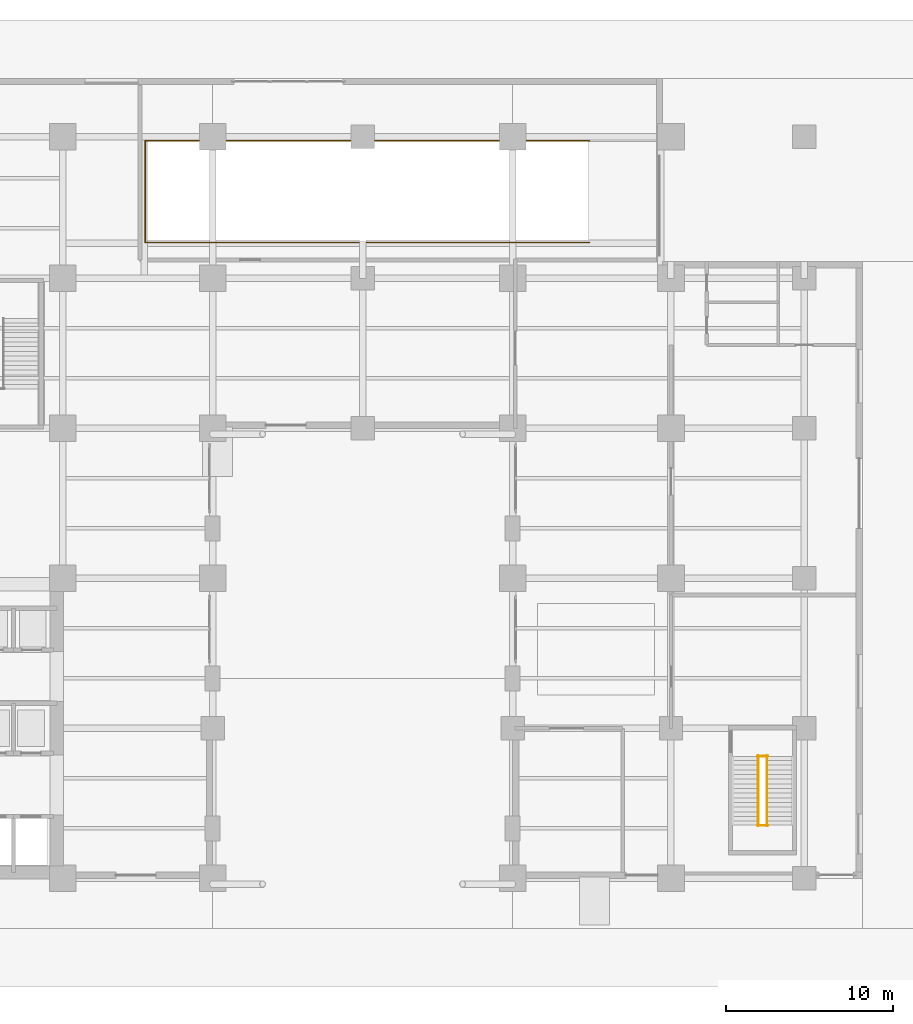
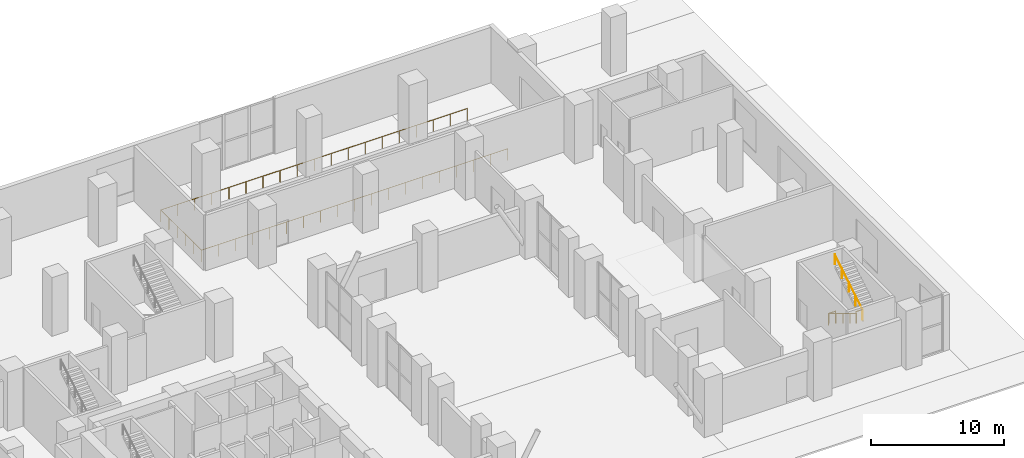
# One storey, part 16 of 17: 5 railings.
"""IFC4 building model written with IfcOpenShell, lengths in metres."""

import ifcopenshell
import ifcopenshell.guid

model = None  # the IFC model being written
_history = None  # IfcOwnerHistory: only IFC2X3 demands one
_inside = {}  # id of a spatial element -> (the spatial element, [elements in it])
_under = {}  # id of a project, library or spatial element -> (it, [spatial elements below it])
_declared = {}  # id of a project -> (the project, [libraries it declares])
_typed = {}  # id of a type object -> (the type object, [elements of that type])
_made_of = {}  # id of a material, layer set ... -> (it, [elements and type objects made of it])


def new_model(schema):
    """Start an empty IFC model of exactly this schema.

    Asked for "IFC4X3", IfcOpenShell would pick the latest addendum, in which some entities
    have other attributes; the version numbers below select the first issue.
    IFC2X3 requires an IfcOwnerHistory on every rooted entity: one is made here for all.
    """
    global model, _history
    if schema == "IFC4X3":
        model = ifcopenshell.file(schema_version=(4, 3, 0, 0))
    else:
        model = ifcopenshell.file(schema=schema)
    _inside.clear()
    _under.clear()
    _declared.clear()
    _typed.clear()
    _made_of.clear()
    _history = None
    if model.schema == "IFC2X3":
        org = make("IfcOrganization", Name="unknown")
        user = make(
            "IfcPersonAndOrganization",
            ThePerson=make("IfcPerson", FamilyName="unknown"),
            TheOrganization=org,
        )
        app = make(
            "IfcApplication",
            ApplicationDeveloper=org,
            Version="unknown",
            ApplicationFullName="unknown",
            ApplicationIdentifier="unknown",
        )
        _history = make(
            "IfcOwnerHistory",
            OwningUser=user,
            OwningApplication=app,
            ChangeAction="ADDED",
            CreationDate=0,
        )
    return model


def make(cls, **values):
    """One entity of the class cls with the attributes given. An attribute that is None is left unset."""
    return model.create_entity(
        cls, **{name: value for name, value in values.items() if value is not None}
    )


def rooted(cls, **values):
    """An entity with a GlobalId (a new one), such as an element, a storey or a relation."""
    return make(cls, GlobalId=ifcopenshell.guid.new(), OwnerHistory=_history, **values)


def si_unit(unit_type, name, prefix=None):
    """IfcSIUnit, for example si_unit("LENGTHUNIT", "METRE", prefix="MILLI")."""
    return make("IfcSIUnit", UnitType=unit_type, Prefix=prefix, Name=name)


def assignment(units):
    """IfcUnitAssignment: the units of a project."""
    return None if units is None else make("IfcUnitAssignment", Units=units)


def point(xyz):
    """IfcCartesianPoint."""
    return None if xyz is None else make("IfcCartesianPoint", Coordinates=xyz)


def direction(xyz):
    """IfcDirection."""
    return None if xyz is None else make("IfcDirection", DirectionRatios=xyz)


def frame(location, z_axis=None, x_axis=None):
    """IfcAxis2Placement3D, a coordinate frame: its origin and axes. An axis left out is left unset."""
    return make(
        "IfcAxis2Placement3D",
        Location=point(location),
        Axis=direction(z_axis),
        RefDirection=direction(x_axis),
    )


def frame_2d(location, x_axis=None):
    """IfcAxis2Placement2D, a coordinate frame in the plane: its origin and x axis."""
    return make(
        "IfcAxis2Placement2D", Location=point(location), RefDirection=direction(x_axis)
    )


def origin():
    """The frame at (0, 0, 0) with its axes left unset."""
    return frame((0.0, 0.0, 0.0))


def origin_2d():
    """The frame at (0, 0) in the plane with its x axis left unset."""
    return frame_2d((0.0, 0.0))


def place(relative_to, where):
    """IfcLocalPlacement: puts the frame where relative to a parent placement (None: the world)."""
    return make(
        "IfcLocalPlacement", PlacementRelTo=relative_to, RelativePlacement=where
    )


def context(
    kind, dimensions, precision=None, world=None, true_north=None, identifier=None
):
    """IfcGeometricRepresentationContext, for example the 3D "Model" context."""
    return make(
        "IfcGeometricRepresentationContext",
        ContextIdentifier=identifier,
        ContextType=kind,
        CoordinateSpaceDimension=dimensions,
        Precision=precision,
        WorldCoordinateSystem=world,
        TrueNorth=true_north,
    )


def subcontext(parent, identifier, kind, view, scale=None):
    """IfcGeometricRepresentationSubContext, for example "Body" below "Model"."""
    return make(
        "IfcGeometricRepresentationSubContext",
        ContextIdentifier=identifier,
        ContextType=kind,
        ParentContext=parent,
        TargetScale=scale,
        TargetView=view,
    )


def project(units=None, contexts=None):
    """IfcProject with its units and contexts."""
    return rooted(
        "IfcProject",
        Name="project",
        RepresentationContexts=contexts,
        UnitsInContext=assignment(units),
    )


def spatial(cls, under=None, at=None, **own):
    """A site, building, storey or space (cls), placed at a placement, below another one or the project."""
    s = rooted(cls, ObjectPlacement=at, **own)
    if under is not None:
        _under.setdefault(under.id(), (under, []))[1].append(s)
    return s


def profile(cls, at=None, kind="AREA", **sizes):
    """A parametric profile (cls). Its sizes go by their IFC names, for example OverallWidth=200.0."""
    return make(cls, ProfileType=kind, Position=at, **sizes)


def circle(**sizes):
    """IfcCircleProfileDef."""
    return profile("IfcCircleProfileDef", **sizes)


def extrude(swept, where, along, depth):
    """IfcExtrudedAreaSolid: the profile swept, set in the frame where, extruded along a direction by depth."""
    return make(
        "IfcExtrudedAreaSolid",
        SweptArea=swept,
        Position=where,
        ExtrudedDirection=direction(along),
        Depth=depth,
    )


def shape(context_of_items, identifier, shape_type, items):
    """IfcShapeRepresentation: the items that make up one representation, for example the "Body"."""
    return make(
        "IfcShapeRepresentation",
        ContextOfItems=context_of_items,
        RepresentationIdentifier=identifier,
        RepresentationType=shape_type,
        Items=items,
    )


def material(Name=None, Category=None):
    """IfcMaterial."""
    return make("IfcMaterial", Name=Name, Category=Category)


def made_of(thing, what):
    """Note that an element or type object is made of a material, layer set ...; save() writes the relation."""
    if what is not None:
        _made_of.setdefault(what.id(), (what, []))[1].append(thing)
    return thing


def type_object(cls, material=None, **own):
    """A type object (cls), such as IfcWallType, which elements share."""
    return made_of(rooted(cls, **own), material)


def element(
    cls,
    number,
    at=None,
    inside=None,
    cuts=None,
    type_object=None,
    material=None,
    context=None,
    identifier="Body",
    shape_type=None,
    held_by="IfcProductDefinitionShape",
    body=None,
    shapes=None,
    **own,
):
    """One element of the class cls, such as IfcWall. Its Tag is "e" and its number.

    at: its placement. inside: the storey or other place that contains it. cuts: it is an
    opening in that element (IfcRelVoidsElement). A single representation is given by context,
    identifier, shape_type and body (its items); several are given by shapes. held_by: the class
    of the entity that holds the representations. save() writes the other relations.
    """
    e = rooted(cls, Tag="e%d" % number, ObjectPlacement=at, **own)
    if body is not None:
        shapes = [shape(context, identifier, shape_type, body)]
    if shapes is not None:
        e.Representation = make(held_by, Representations=shapes)
    if inside is not None:
        _inside.setdefault(inside.id(), (inside, []))[1].append(e)
    if cuts is not None:
        rooted(
            "IfcRelVoidsElement", RelatingBuildingElement=cuts, RelatedOpeningElement=e
        )
    if type_object is not None:
        _typed.setdefault(type_object.id(), (type_object, []))[1].append(e)
    return made_of(e, material)


def aggregate(whole, parts):
    """IfcRelAggregates: a whole, such as a stair, and the parts it consists of."""
    return rooted("IfcRelAggregates", RelatingObject=whole, RelatedObjects=parts)


def save(model, path):
    """Write the relations noted so far, then the file.

    IfcRelAggregates (storeys below a building ...), IfcRelContainedInSpatialStructure (elements
    in a storey), IfcRelDefinesByType, IfcRelAssociatesMaterial and IfcRelDeclares: one each for
    every whole, place, type object, material and project.
    """
    for whole, parts in _under.values():
        aggregate(whole, parts)
    for where, things in _inside.values():
        rooted(
            "IfcRelContainedInSpatialStructure",
            RelatedElements=things,
            RelatingStructure=where,
        )
    for kind, things in _typed.values():
        rooted("IfcRelDefinesByType", RelatedObjects=things, RelatingType=kind)
    for what, things in _made_of.values():
        rooted("IfcRelAssociatesMaterial", RelatedObjects=things, RelatingMaterial=what)
    for by, libraries in _declared.values():
        rooted("IfcRelDeclares", RelatingContext=by, RelatedDefinitions=libraries)
    model.write(path)


model = new_model("IFC4")

# Units and contexts
model_context = context("Model", 3, precision=1e-05, world=origin(), true_north=direction((0.0, 1.0)))
body_context = subcontext(model_context, "Body", "Model", "MODEL_VIEW")
ifc_project = project(units=[si_unit("LENGTHUNIT", "METRE"), si_unit("AREAUNIT", "SQUARE_METRE"), si_unit("VOLUMEUNIT", "CUBIC_METRE"), si_unit("PLANEANGLEUNIT", "RADIAN"), si_unit("MASSUNIT", "GRAM", prefix="KILO")], contexts=[model_context])

# Site, building, storey
site_placement = place(None, origin())
site = spatial("IfcSite", under=ifc_project, at=site_placement, CompositionType="ELEMENT")
building_placement = place(site_placement, origin())
building = spatial("IfcBuilding", under=site, at=building_placement, Name="Mawjdan Bourse Tower", CompositionType="ELEMENT")
storey_placement = place(building_placement, origin())
storey = spatial("IfcBuildingStorey", under=building, at=storey_placement, Name="L00", CompositionType="ELEMENT", Elevation=0.0)

# Railings
ifc_material_1 = material(Name="Structural Steel S355", Category="steel")
railing_type_1 = type_object("IfcRailingType", Name="RLG-GRD-1100", PredefinedType="GUARDRAIL", material=ifc_material_1)
for number, where, name in (
    (1, (65.68994140625, 6.169921875, 2.699951171875), "L00 ST6 Landing Guardrail GL-MID"),
    (2, (65.68994140625, 10.330078125, 0.0), "L00 ST6 Landing Guardrail GL-BOT"),
):
    element("IfcRailing", number, at=place(storey_placement, frame(where)), inside=storey, type_object=railing_type_1, Name=name, PredefinedType="GUARDRAIL", context=body_context, shape_type="SweptSolid", body=[
        extrude(circle(Radius=0.02490234375, at=origin_2d()), frame((0.0, 0.0, 1.0751953125), z_axis=(1.0, 0.0, 0.0), x_axis=(0.0, 1.0, 0.0)), (0.0, 0.0, 1.0), 0.6201171875),
        extrude(circle(Radius=0.02099609375, at=origin_2d()), origin(), (0.0, 0.0, 1.0), 1.050048828125),
        extrude(circle(Radius=0.02099609375, at=origin_2d()), frame((0.6201171875, 0.0, 0.0)), (0.0, 0.0, 1.0), 1.050048828125),
    ])
railing_1_placement = place(storey_placement, frame((55.60009765625, 41.14990234375, 0.0)))
element("IfcRailing", 3, at=railing_1_placement, inside=storey, type_object=railing_type_1, Name="L00 Ramp Void Perimeter Guardrail", PredefinedType="GUARDRAIL", context=body_context, shape_type="SweptSolid", body=[
    extrude(circle(Radius=0.02490234375, at=origin_2d()), frame((0.0, 0.0, 1.0751953125), z_axis=(-1.0, 0.0, 0.0), x_axis=(0.0, -1.0, 0.0)), (0.0, 0.0, 1.0), 26.650146484375),
    extrude(circle(Radius=0.02490234375, at=origin_2d()), frame((-26.650146484375, 0.0, 1.0751953125), z_axis=(0.0, 1.0, 0.0), x_axis=(-1.0, 0.0, 0.0)), (0.0, 0.0, 1.0), 6.10009765625),
    extrude(circle(Radius=0.02490234375, at=origin_2d()), frame((-26.650146484375, 6.10009765625, 1.0751953125), z_axis=(1.0, 0.0, 0.0), x_axis=(0.0, 1.0, 0.0)), (0.0, 0.0, 1.0), 26.650146484375),
    extrude(circle(Radius=0.02197265625, at=origin_2d()), origin(), (0.0, 0.0, 1.0), 1.050048828125),
    extrude(circle(Radius=0.02197265625, at=origin_2d()), frame((-1.48046875, 0.0, 0.0)), (0.0, 0.0, 1.0), 1.050048828125),
    extrude(circle(Radius=0.02197265625, at=origin_2d()), frame((-2.961181640625, 0.0, 0.0)), (0.0, 0.0, 1.0), 1.050048828125),
    extrude(circle(Radius=0.02197265625, at=origin_2d()), frame((-4.441650390625, 0.0, 0.0)), (0.0, 0.0, 1.0), 1.050048828125),
    extrude(circle(Radius=0.02197265625, at=origin_2d()), frame((-5.92236328125, 0.0, 0.0)), (0.0, 0.0, 1.0), 1.050048828125),
    extrude(circle(Radius=0.02197265625, at=origin_2d()), frame((-7.40283203125, 0.0, 0.0)), (0.0, 0.0, 1.0), 1.050048828125),
    extrude(circle(Radius=0.02197265625, at=origin_2d()), frame((-8.88330078125, 0.0, 0.0)), (0.0, 0.0, 1.0), 1.050048828125),
    extrude(circle(Radius=0.02197265625, at=origin_2d()), frame((-10.364013671875, 0.0, 0.0)), (0.0, 0.0, 1.0), 1.050048828125),
    extrude(circle(Radius=0.02197265625, at=origin_2d()), frame((-11.844482421875, 0.0, 0.0)), (0.0, 0.0, 1.0), 1.050048828125),
    extrude(circle(Radius=0.02197265625, at=origin_2d()), frame((-13.3251953125, 0.0, 0.0)), (0.0, 0.0, 1.0), 1.050048828125),
    extrude(circle(Radius=0.02197265625, at=origin_2d()), frame((-14.8056640625, 0.0, 0.0)), (0.0, 0.0, 1.0), 1.050048828125),
    extrude(circle(Radius=0.02197265625, at=origin_2d()), frame((-16.2861328125, 0.0, 0.0)), (0.0, 0.0, 1.0), 1.050048828125),
    extrude(circle(Radius=0.02197265625, at=origin_2d()), frame((-17.766845703125, 0.0, 0.0)), (0.0, 0.0, 1.0), 1.050048828125),
    extrude(circle(Radius=0.02197265625, at=origin_2d()), frame((-19.247314453125, 0.0, 0.0)), (0.0, 0.0, 1.0), 1.050048828125),
    extrude(circle(Radius=0.02197265625, at=origin_2d()), frame((-20.727783203125, 0.0, 0.0)), (0.0, 0.0, 1.0), 1.050048828125),
    extrude(circle(Radius=0.02197265625, at=origin_2d()), frame((-22.20849609375, 0.0, 0.0)), (0.0, 0.0, 1.0), 1.050048828125),
    extrude(circle(Radius=0.02197265625, at=origin_2d()), frame((-23.68896484375, 0.0, 0.0)), (0.0, 0.0, 1.0), 1.050048828125),
    extrude(circle(Radius=0.02197265625, at=origin_2d()), frame((-25.169677734375, 0.0, 0.0)), (0.0, 0.0, 1.0), 1.050048828125),
    extrude(circle(Radius=0.02197265625, at=origin_2d()), frame((-26.650146484375, 0.0, 0.0)), (0.0, 0.0, 1.0), 1.050048828125),
    extrude(circle(Radius=0.02197265625, at=origin_2d()), frame((-26.650146484375, 1.219970703125, 0.0)), (0.0, 0.0, 1.0), 1.050048828125),
    extrude(circle(Radius=0.02197265625, at=origin_2d()), frame((-26.650146484375, 2.43994140625, 0.0)), (0.0, 0.0, 1.0), 1.050048828125),
    extrude(circle(Radius=0.02197265625, at=origin_2d()), frame((-26.650146484375, 3.66015625, 0.0)), (0.0, 0.0, 1.0), 1.050048828125),
    extrude(circle(Radius=0.02197265625, at=origin_2d()), frame((-26.650146484375, 4.880126953125, 0.0)), (0.0, 0.0, 1.0), 1.050048828125),
    extrude(circle(Radius=0.02197265625, at=origin_2d()), frame((-26.650146484375, 6.10009765625, 0.0)), (0.0, 0.0, 1.0), 1.050048828125),
    extrude(circle(Radius=0.02197265625, at=origin_2d()), frame((-25.169677734375, 6.10009765625, 0.0)), (0.0, 0.0, 1.0), 1.050048828125),
    extrude(circle(Radius=0.02197265625, at=origin_2d()), frame((-23.68896484375, 6.10009765625, 0.0)), (0.0, 0.0, 1.0), 1.050048828125),
    extrude(circle(Radius=0.02197265625, at=origin_2d()), frame((-22.20849609375, 6.10009765625, 0.0)), (0.0, 0.0, 1.0), 1.050048828125),
    extrude(circle(Radius=0.02197265625, at=origin_2d()), frame((-20.727783203125, 6.10009765625, 0.0)), (0.0, 0.0, 1.0), 1.050048828125),
    extrude(circle(Radius=0.02197265625, at=origin_2d()), frame((-19.247314453125, 6.10009765625, 0.0)), (0.0, 0.0, 1.0), 1.050048828125),
    extrude(circle(Radius=0.02197265625, at=origin_2d()), frame((-17.766845703125, 6.10009765625, 0.0)), (0.0, 0.0, 1.0), 1.050048828125),
    extrude(circle(Radius=0.02197265625, at=origin_2d()), frame((-16.2861328125, 6.10009765625, 0.0)), (0.0, 0.0, 1.0), 1.050048828125),
    extrude(circle(Radius=0.02197265625, at=origin_2d()), frame((-14.8056640625, 6.10009765625, 0.0)), (0.0, 0.0, 1.0), 1.050048828125),
    extrude(circle(Radius=0.02197265625, at=origin_2d()), frame((-13.3251953125, 6.10009765625, 0.0)), (0.0, 0.0, 1.0), 1.050048828125),
    extrude(circle(Radius=0.02197265625, at=origin_2d()), frame((-11.844482421875, 6.10009765625, 0.0)), (0.0, 0.0, 1.0), 1.050048828125),
    extrude(circle(Radius=0.02197265625, at=origin_2d()), frame((-10.364013671875, 6.10009765625, 0.0)), (0.0, 0.0, 1.0), 1.050048828125),
    extrude(circle(Radius=0.02197265625, at=origin_2d()), frame((-8.88330078125, 6.10009765625, 0.0)), (0.0, 0.0, 1.0), 1.050048828125),
    extrude(circle(Radius=0.02197265625, at=origin_2d()), frame((-7.40283203125, 6.10009765625, 0.0)), (0.0, 0.0, 1.0), 1.050048828125),
    extrude(circle(Radius=0.02197265625, at=origin_2d()), frame((-5.92236328125, 6.10009765625, 0.0)), (0.0, 0.0, 1.0), 1.050048828125),
    extrude(circle(Radius=0.02197265625, at=origin_2d()), frame((-4.441650390625, 6.10009765625, 0.0)), (0.0, 0.0, 1.0), 1.050048828125),
    extrude(circle(Radius=0.02197265625, at=origin_2d()), frame((-2.961181640625, 6.10009765625, 0.0)), (0.0, 0.0, 1.0), 1.050048828125),
    extrude(circle(Radius=0.02197265625, at=origin_2d()), frame((-1.48046875, 6.10009765625, 0.0)), (0.0, 0.0, 1.0), 1.050048828125),
    extrude(circle(Radius=0.02197265625, at=origin_2d()), frame((0.0, 6.10009765625, 0.0)), (0.0, 0.0, 1.0), 1.050048828125),
])
ifc_material_2 = material(Name="Brushed Stainless Steel", Category="steel")
railing_type_2 = type_object("IfcRailingType", Name="RLG-HND-920", PredefinedType="HANDRAIL", material=ifc_material_2)
railing_2_placement = place(storey_placement, frame((65.739990234375, 10.35009765625, 0.168701171875)))
element("IfcRailing", 4, at=railing_2_placement, inside=storey, type_object=railing_type_2, Name="L00 ST6 Flight Handrail HR1", PredefinedType="HANDRAIL", context=body_context, shape_type="SweptSolid", body=[
    extrude(circle(Radius=0.0224609375, at=origin_2d()), frame((0.0, 0.0, 0.8974609375), z_axis=(0.0, -0.856489757249, 0.516164020179), x_axis=(1.0, 0.0, 0.0)), (0.0, 0.0, 1.0), 4.904052734375),
    extrude(circle(Radius=0.01904296875, at=origin_2d()), origin(), (0.0, 0.0, 1.0), 0.875),
    extrude(circle(Radius=0.01904296875, at=origin_2d()), frame((0.0, -1.050048828125, 0.6328125)), (0.0, 0.0, 1.0), 0.875),
    extrude(circle(Radius=0.01904296875, at=origin_2d()), frame((0.0, -2.10009765625, 1.265625)), (0.0, 0.0, 1.0), 0.875),
    extrude(circle(Radius=0.01904296875, at=origin_2d()), frame((0.0, -3.150146484375, 1.8984375)), (0.0, 0.0, 1.0), 0.875),
    extrude(circle(Radius=0.01904296875, at=origin_2d()), frame((0.0, -4.2001953125, 2.53125)), (0.0, 0.0, 1.0), 0.875),
])
railing_3_placement = place(storey_placement, frame((66.260009765625, 6.14990234375, 2.86865234375)))
element("IfcRailing", 5, at=railing_3_placement, inside=storey, type_object=railing_type_2, Name="L00 ST6 Flight Handrail HR2", PredefinedType="HANDRAIL", context=body_context, shape_type="SweptSolid", body=[
    extrude(circle(Radius=0.0224609375, at=origin_2d()), frame((0.0, 0.0, 0.8974609375), z_axis=(0.0, 0.856489757249, 0.516164020179), x_axis=(-1.0, 0.0, 0.0)), (0.0, 0.0, 1.0), 4.904052734375),
    extrude(circle(Radius=0.01904296875, at=origin_2d()), origin(), (0.0, 0.0, 1.0), 0.875),
    extrude(circle(Radius=0.01904296875, at=origin_2d()), frame((0.0, 1.050048828125, 0.6328125)), (0.0, 0.0, 1.0), 0.875),
    extrude(circle(Radius=0.01904296875, at=origin_2d()), frame((0.0, 2.10009765625, 1.265625)), (0.0, 0.0, 1.0), 0.875),
    extrude(circle(Radius=0.01904296875, at=origin_2d()), frame((0.0, 3.150146484375, 1.8984375)), (0.0, 0.0, 1.0), 0.875),
    extrude(circle(Radius=0.01904296875, at=origin_2d()), frame((0.0, 4.2001953125, 2.53125)), (0.0, 0.0, 1.0), 0.875),
])

save(model, "model.ifc")
